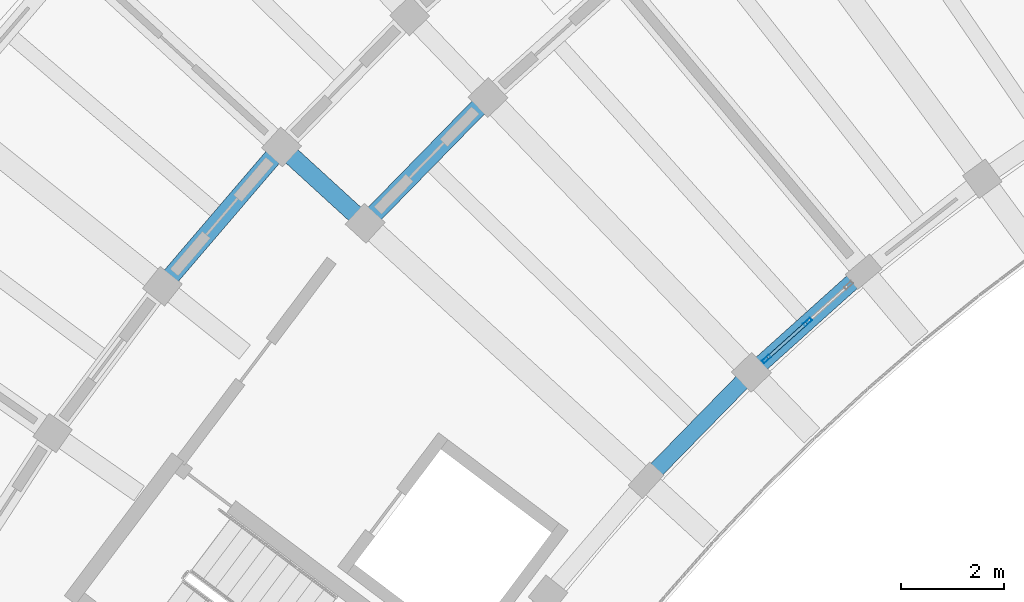
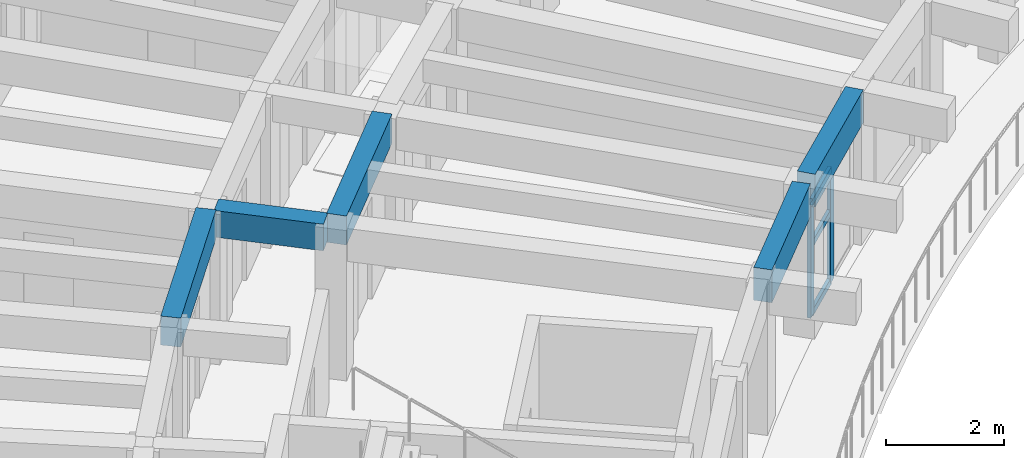
# One storey, part 7 of 69: 5 beams, 5 members, 1 element without a shape of its own.
"""IFC4 building model written with IfcOpenShell, lengths in metres."""

from ifc_helpers import new_model, si_unit, direction, frame, origin, origin_2d, place, context, subcontext, project, spatial, rectangle, hollow_rectangle, extrude, material, material_profile, profile_set, type_object, element, aggregate, save


model = new_model("IFC4")

# Units and contexts
model_context = context("Model", 3, precision=1e-05, world=origin(), true_north=direction((0.0, 1.0)))
body_context = subcontext(model_context, "Body", "Model", "MODEL_VIEW")
ifc_project = project(units=[si_unit("LENGTHUNIT", "METRE"), si_unit("AREAUNIT", "SQUARE_METRE"), si_unit("VOLUMEUNIT", "CUBIC_METRE"), si_unit("PLANEANGLEUNIT", "RADIAN"), si_unit("MASSUNIT", "GRAM", prefix="KILO")], contexts=[model_context])

# Site, building, storey
site_placement = place(None, origin())
site = spatial("IfcSite", under=ifc_project, at=site_placement, CompositionType="ELEMENT")
building_placement = place(site_placement, origin())
building = spatial("IfcBuilding", under=site, at=building_placement, Name="Tanwirah Colonnade Gardens", CompositionType="ELEMENT")
storey_placement = place(building_placement, frame((0.0, 0.0, 15.56005859375)))
storey = spatial("IfcBuildingStorey", under=building, at=storey_placement, Name="L04", CompositionType="ELEMENT", Elevation=15.56005859375)

# Beams
ifc_material_1 = material(Name="Precast concrete C40/50", Category="concrete")
ifc_material_profile_1 = material_profile(ifc_material_1, rectangle(XDim=0.35009765625, YDim=0.550048828125, at=origin_2d()), Name="PC-BM 350x550")
ifc_profile_set_1 = profile_set([ifc_material_profile_1], Name="Precast concrete C40/50")
beam_type_1 = type_object("IfcBeamType", Name="BM-PC350A", PredefinedType="BEAM", material=ifc_profile_set_1)
beam_1_placement = place(storey_placement, frame((26.62744140625, 95.29345703125, 2.8349609375), z_axis=(-0.737948361517, 0.674857181732, 0.0), x_axis=(-0.674857181732, -0.737948361517, 0.0)))
element("IfcBeam", 1, at=beam_1_placement, inside=storey, type_object=beam_type_1, Name="Block A L04 Corridor Tie Beam 11", PredefinedType="BEAM", context=body_context, shape_type="SweptSolid", body=[
    extrude(rectangle(XDim=0.35009765625, YDim=0.550048828125, at=origin_2d()), origin(), (0.0, 0.0, 1.0), 1.89990234375),
])
ifc_material_profile_2 = material_profile(ifc_material_1, rectangle(XDim=0.35009765625, YDim=0.60009765625, at=origin_2d()), Name="PC-BM 350x600")
ifc_profile_set_2 = profile_set([ifc_material_profile_2], Name="Precast concrete C40/50")
beam_type_2 = type_object("IfcBeamType", Name="BM-PC350B", PredefinedType="BEAM", material=ifc_profile_set_2)
beam_2_placement = place(storey_placement, frame((29.02197265625, 97.52978515625, 2.81005859375), z_axis=(-0.698837366631, -0.715280598787, 0.0), x_axis=(0.715280598787, -0.698837366631, 0.0)))
element("IfcBeam", 2, at=beam_2_placement, inside=storey, type_object=beam_type_2, Name="Block A L04 Circumferential Beam 10-R1", PredefinedType="BEAM", context=body_context, shape_type="SweptSolid", body=[
    extrude(rectangle(XDim=0.35009765625, YDim=0.60009765625, at=origin_2d()), origin(), (0.0, 0.0, 1.0), 3.117919921875),
])
beam_3_placement = place(storey_placement, frame((25.017333984375, 96.56298828125, 2.81005859375), z_axis=(-0.650218192342, -0.759747525398, 0.0), x_axis=(0.759747525398, -0.650218192342, 0.0)))
element("IfcBeam", 3, at=beam_3_placement, inside=storey, type_object=beam_type_2, Name="Block A L04 Circumferential Beam 11-R2", PredefinedType="BEAM", context=body_context, shape_type="SweptSolid", body=[
    extrude(rectangle(XDim=0.35009765625, YDim=0.60009765625, at=origin_2d()), origin(), (0.0, 0.0, 1.0), 3.26318359375),
])

# Curtain wall, members
ifc_material_2 = material(Name="Bronze-anodised aluminium and solar-control low-E glass", Category="aluminium")
curtain_wall_type = type_object("IfcCurtainWallType", Name="CW-GDN", PredefinedType="NOTDEFINED", material=ifc_material_2)
curtain_wall_placement = place(storey_placement, origin())
curtain_wall = element("IfcCurtainWall", 4, at=curtain_wall_placement, inside=storey, type_object=curtain_wall_type, Name="Curtain Wall CW-A-L04-IN-09", PredefinedType="NOTDEFINED")
ifc_material_3 = material(Name="Bronze-anodised aluminium", Category="aluminium")
ifc_material_profile_3 = material_profile(ifc_material_3, hollow_rectangle(XDim=0.06494140625, YDim=0.179931640625, WallThickness=0.00390625, at=origin_2d()), Name="CW-MUL 65x180x4")
ifc_profile_set_3 = profile_set([ifc_material_profile_3], Name="Bronze-anodised aluminium")
member_type_1 = type_object("IfcMemberType", Name="CWM-65x180", PredefinedType="MULLION", material=ifc_profile_set_3)
member_1_placement = place(storey_placement, frame((35.33740234375, 93.2724609375, 0.0), z_axis=(0.0, 0.0, 1.0), x_axis=(0.667689182798, -0.744440162253, 0.0)))
member_1 = element("IfcMember", 5, at=member_1_placement, type_object=member_type_1, Name="CW-GDN mullion 2", PredefinedType="MULLION", context=body_context, shape_type="SweptSolid", body=[
    extrude(hollow_rectangle(XDim=0.06494140625, YDim=0.179931640625, WallThickness=0.00390625, at=origin_2d()), origin(), (0.0, 0.0, 1.0), 2.35498046875),
])
member_2_placement = place(storey_placement, frame((34.538818359375, 92.55615234375, 0.0), z_axis=(0.0, 0.0, 1.0), x_axis=(0.667689182798, -0.744440162253, 0.0)))
member_2 = element("IfcMember", 6, at=member_2_placement, type_object=member_type_1, Name="CW-GDN mullion 3", PredefinedType="MULLION", context=body_context, shape_type="SweptSolid", body=[
    extrude(hollow_rectangle(XDim=0.06494140625, YDim=0.179931640625, WallThickness=0.00390625, at=origin_2d()), origin(), (0.0, 0.0, 1.0), 2.35498046875),
])
ifc_material_profile_4 = material_profile(ifc_material_3, hollow_rectangle(XDim=0.06494140625, YDim=0.135009765625, WallThickness=0.00390625, at=origin_2d()), Name="CW-TRN 65x135x4")
ifc_profile_set_4 = profile_set([ifc_material_profile_4], Name="Bronze-anodised aluminium")
member_type_2 = type_object("IfcMemberType", Name="CWT-65x135", PredefinedType="USERDEFINED", material=ifc_profile_set_4)
member_3_placement = place(storey_placement, frame((35.313232421875, 93.250732421875, 0.032470703125), z_axis=(-0.744461476402, -0.667665417821, 0.0), x_axis=(0.667665417821, -0.744461476402, 0.0)))
member_3 = element("IfcMember", 7, at=member_3_placement, type_object=member_type_2, Name="CW-GDN transom 2.1", ObjectType="TRANSOM", PredefinedType="USERDEFINED", context=body_context, shape_type="SweptSolid", body=[
    extrude(hollow_rectangle(XDim=0.06494140625, YDim=0.135009765625, WallThickness=0.00390625, at=origin_2d()), origin(), (0.0, 0.0, 1.0), 1.0078125),
])
member_4_placement = place(storey_placement, frame((35.313232421875, 93.250732421875, 1.4599609375), z_axis=(-0.744461476402, -0.667665417821, 0.0), x_axis=(0.667665417821, -0.744461476402, 0.0)))
member_4 = element("IfcMember", 8, at=member_4_placement, type_object=member_type_2, Name="CW-GDN transom 2.2", ObjectType="TRANSOM", PredefinedType="USERDEFINED", context=body_context, shape_type="SweptSolid", body=[
    extrude(hollow_rectangle(XDim=0.06494140625, YDim=0.135009765625, WallThickness=0.00390625, at=origin_2d()), origin(), (0.0, 0.0, 1.0), 1.0078125),
])
member_5_placement = place(storey_placement, frame((35.313232421875, 93.250732421875, 2.322509765625), z_axis=(-0.744461476402, -0.667665417821, 0.0), x_axis=(0.667665417821, -0.744461476402, 0.0)))
member_5 = element("IfcMember", 9, at=member_5_placement, type_object=member_type_2, Name="CW-GDN transom 2.3", ObjectType="TRANSOM", PredefinedType="USERDEFINED", context=body_context, shape_type="SweptSolid", body=[
    extrude(hollow_rectangle(XDim=0.06494140625, YDim=0.135009765625, WallThickness=0.00390625, at=origin_2d()), origin(), (0.0, 0.0, 1.0), 1.0078125),
])
aggregate(curtain_wall, [member_1, member_2, member_3, member_4, member_5])

# Beams
ifc_material_4 = material(Name="Precast concrete C45/55", Category="concrete")
ifc_material_profile_5 = material_profile(ifc_material_4, rectangle(XDim=0.320068359375, YDim=0.679931640625, at=origin_2d()), Name="PC-SP 320x680")
ifc_profile_set_5 = profile_set([ifc_material_profile_5], Name="Precast concrete C45/55")
beam_type_3 = type_object("IfcBeamType", Name="SP-PC320", PredefinedType="SPANDREL", material=ifc_profile_set_5)
beam_4_placement = place(storey_placement, frame((36.31640625, 94.150634765625, 2.77001953125), z_axis=(-0.744400790288, -0.667733077972, 0.0), x_axis=(0.667733077972, -0.744400790288, 0.0)))
element("IfcBeam", 10, at=beam_4_placement, inside=storey, type_object=beam_type_3, Name="Block A L04 Circumferential Beam 9-R0", PredefinedType="SPANDREL", context=body_context, shape_type="SweptSolid", body=[
    extrude(rectangle(XDim=0.320068359375, YDim=0.679931640625, at=origin_2d()), origin(), (0.0, 0.0, 1.0), 2.63037109375),
])
beam_5_placement = place(storey_placement, frame((34.141845703125, 92.186767578125, 2.77001953125), z_axis=(-0.698844462704, -0.715273665772, 0.0), x_axis=(0.715273665772, -0.698844462704, 0.0)))
element("IfcBeam", 11, at=beam_5_placement, inside=storey, type_object=beam_type_3, Name="Block A L04 Circumferential Beam 10-R0", PredefinedType="SPANDREL", context=body_context, shape_type="SweptSolid", body=[
    extrude(rectangle(XDim=0.320068359375, YDim=0.679931640625, at=origin_2d()), origin(), (0.0, 0.0, 1.0), 2.630126953125),
])

save(model, "model.ifc")
